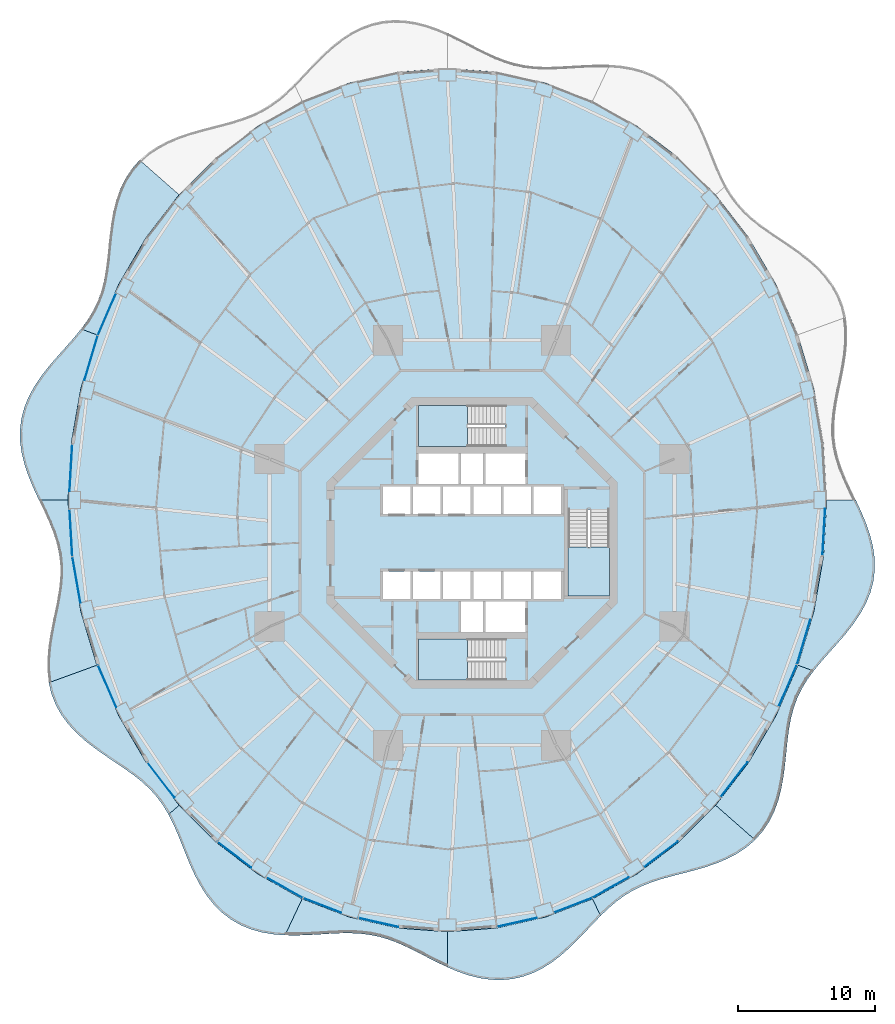
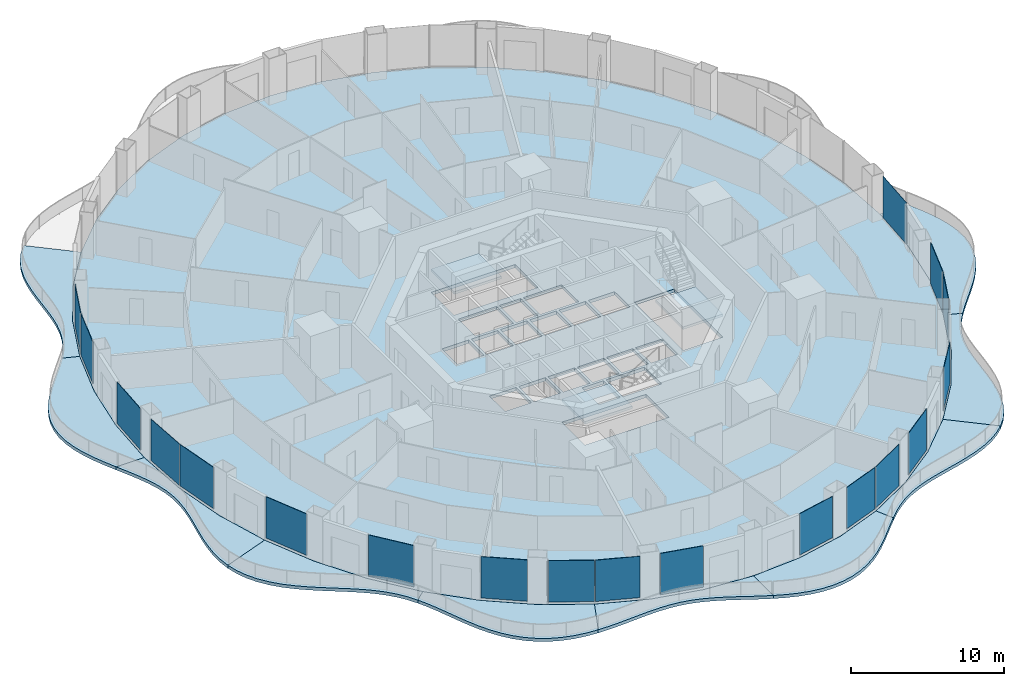
# One storey, part 12 of 22: 19 plates, 14 slabs, 22 elements without a shape of their own.
"""IFC4 building model written with IfcOpenShell, lengths in metres."""

from ifc_helpers import new_model, si_unit, direction, frame, origin, origin_2d, place, context, subcontext, project, spatial, polyline, rectangle, outline, extrude, material, layer, layer_set, type_object, element, aggregate, save


model = new_model("IFC4")

# Units and contexts
model_context = context("Model", 3, precision=1e-05, world=origin(), true_north=direction((0.0, 1.0)))
body_context = subcontext(model_context, "Body", "Model", "MODEL_VIEW")
ifc_project = project(units=[si_unit("LENGTHUNIT", "METRE"), si_unit("AREAUNIT", "SQUARE_METRE"), si_unit("VOLUMEUNIT", "CUBIC_METRE"), si_unit("PLANEANGLEUNIT", "RADIAN"), si_unit("MASSUNIT", "GRAM", prefix="KILO")], contexts=[model_context])

# Site, building, storey
site_placement = place(None, origin())
site = spatial("IfcSite", under=ifc_project, at=site_placement, CompositionType="ELEMENT")
building_placement = place(site_placement, origin())
building = spatial("IfcBuilding", under=site, at=building_placement, Name="Nagisa Residences", CompositionType="ELEMENT")
storey_placement = place(building_placement, frame((0.0, 0.0, 106.60009765625)))
storey = spatial("IfcBuildingStorey", under=building, at=storey_placement, Name="L26", CompositionType="ELEMENT", Elevation=106.60009765625)

# Slabs
ifc_material_1 = material(Name="Concrete C40/50", Category="concrete")
ifc_layer_1 = layer(ifc_material_1, 0.25)
ifc_layer_set_1 = layer_set([ifc_layer_1], Name="BALCONY SLAB 250")
slab_type_1 = type_object("IfcSlabType", Name="BALCONY SLAB 250", PredefinedType="FLOOR", material=ifc_layer_set_1)
slab_1_placement = place(storey_placement, frame((0.0, 0.0, -0.25)))
element("IfcSlab", 1, at=slab_1_placement, inside=storey, type_object=slab_type_1, Name="slab:L26:bal06", PredefinedType="FLOOR", context=body_context, shape_type="SweptSolid", body=[
    extrude(outline(polyline([(-24.260009765625, 27.93017578125), (-24.818115234375, 27.301513671875), (-25.28662109375, 26.601318359375), (-25.6650390625, 25.838623046875), (-25.958251953125, 25.02490234375), (-26.17626953125, 24.17431640625), (-26.3330078125, 23.3017578125), (-26.4462890625, 22.42236328125), (-26.536376953125, 21.54931640625), (-26.624267578125, 20.69482421875), (-26.730712890625, 19.867919921875), (-26.874267578125, 19.07470703125), (-27.071044921875, 18.3173828125), (-27.33203125, 17.595703125), (-27.663330078125, 16.90576171875), (-28.0654296875, 16.24169921875), (-28.532958984375, 15.59521484375), (-27.386962890625, 15.177978515625), (-25.78466796875, 18.875244140625), (-23.77197265625, 22.302734375), (-21.38330078125, 25.402099609375), (-24.260009765625, 27.93017578125)])), origin(), (0.0, 0.0, 1.0), 0.25),
])
slab_2_placement = place(storey_placement, frame((0.0, 0.0, -0.25)))
element("IfcSlab", 2, at=slab_2_placement, inside=storey, type_object=slab_type_1, Name="slab:L26:bal07", PredefinedType="FLOOR", context=body_context, shape_type="SweptSolid", body=[
    extrude(outline(polyline([(-28.532958984375, 15.59521484375), (-29.072509765625, 14.93701171875), (-29.652587890625, 14.277587890625), (-30.251708984375, 13.607666015625), (-30.845458984375, 12.91845703125), (-31.407958984375, 12.2041015625), (-31.9140625, 11.460693359375), (-32.341552734375, 10.68701171875), (-32.671630859375, 9.884765625), (-32.8916015625, 9.057861328125), (-32.99462890625, 8.2119140625), (-32.980712890625, 7.353759765625), (-32.857177734375, 6.490966796875), (-32.637451171875, 5.630615234375), (-32.340576171875, 4.779052734375), (-31.989501953125, 3.9404296875), (-31.6103515625, 3.11767578125), (-29.4951171875, 3.11767578125), (-29.258056640625, 7.231201171875), (-28.55126953125, 11.2744140625), (-27.386962890625, 15.177978515625), (-28.532958984375, 15.59521484375)])), origin(), (0.0, 0.0, 1.0), 0.25),
])
slab_3_placement = place(storey_placement, frame((0.0, 0.0, -0.25)))
element("IfcSlab", 3, at=slab_3_placement, inside=storey, type_object=slab_type_1, Name="slab:L26:bal08", PredefinedType="FLOOR", context=body_context, shape_type="SweptSolid", body=[
    extrude(outline(polyline([(-31.6103515625, 3.11767578125), (-31.2294921875, 2.311279296875), (-30.8720703125, 1.51953125), (-30.56103515625, 0.738525390625), (-30.314208984375, -0.03662109375), (-30.14404296875, -0.8125), (-30.056396484375, -1.595458984375), (-30.050048828125, -2.39111328125), (-30.1171875, -3.204833984375), (-30.24365234375, -4.039306640625), (-30.409912109375, -4.895263671875), (-30.5927734375, -5.77099609375), (-30.766845703125, -6.662109375), (-30.90625, -7.561767578125), (-30.987060546875, -8.461181640625), (-30.987548828125, -9.350341796875), (-30.8916015625, -10.21826171875), (-27.386962890625, -8.942626953125), (-28.55126953125, -5.0390625), (-29.258056640625, -0.995849609375), (-29.4951171875, 3.11767578125), (-31.6103515625, 3.11767578125)])), origin(), (0.0, 0.0, 1.0), 0.25),
])
slab_4_placement = place(storey_placement, frame((0.0, 0.0, -0.25)))
element("IfcSlab", 4, at=slab_4_placement, inside=storey, type_object=slab_type_1, Name="slab:L26:bal09", PredefinedType="FLOOR", context=body_context, shape_type="SweptSolid", body=[
    extrude(outline(polyline([(-30.8916015625, -10.21826171875), (-30.6962890625, -11.02978515625), (-30.395751953125, -11.803466796875), (-29.9921875, -12.533447265625), (-29.492431640625, -13.215087890625), (-28.90966796875, -13.84814453125), (-28.259765625, -14.4345703125), (-27.56298828125, -14.9794921875), (-26.84033203125, -15.49169921875), (-26.11328125, -15.981689453125), (-25.402099609375, -16.46240234375), (-24.72412109375, -16.947021484375), (-24.093505859375, -17.448974609375), (-23.51904296875, -17.980712890625), (-23.0048828125, -18.55224609375), (-22.55029296875, -19.1708984375), (-22.148681640625, -19.83935546875), (-21.38330078125, -19.166748046875), (-23.77197265625, -16.0673828125), (-25.78466796875, -12.639892578125), (-27.386962890625, -8.942626953125), (-30.8916015625, -10.21826171875)])), origin(), (0.0, 0.0, 1.0), 0.25),
])
slab_5_placement = place(storey_placement, frame((0.0, 0.0, -0.25)))
element("IfcSlab", 5, at=slab_5_placement, inside=storey, type_object=slab_type_1, Name="slab:L26:bal10", PredefinedType="FLOOR", context=body_context, shape_type="SweptSolid", body=[
    extrude(outline(polyline([(-22.148681640625, -19.83935546875), (-21.805908203125, -20.5224609375), (-21.489501953125, -21.245849609375), (-21.185791015625, -22.001220703125), (-20.879150390625, -22.77734375), (-20.55419921875, -23.560546875), (-20.19677734375, -24.33447265625), (-19.794677734375, -25.08251953125), (-19.337646484375, -25.787841796875), (-18.81982421875, -26.434814453125), (-18.237548828125, -27.010009765625), (-17.592041015625, -27.502685546875), (-16.88720703125, -27.90625), (-16.130126953125, -28.218505859375), (-15.330322265625, -28.441162109375), (-14.4990234375, -28.581298828125), (-13.648193359375, -28.64990234375), (-12.3984375, -25.998291015625), (-15.6474609375, -24.175048828125), (-18.65966796875, -21.884765625), (-21.38330078125, -19.166748046875), (-22.148681640625, -19.83935546875)])), origin(), (0.0, 0.0, 1.0), 0.25),
])
slab_6_placement = place(storey_placement, frame((0.0, 0.0, -0.25)))
element("IfcSlab", 6, at=slab_6_placement, inside=storey, type_object=slab_type_1, Name="slab:L26:bal11", PredefinedType="FLOOR", context=body_context, shape_type="SweptSolid", body=[
    extrude(outline(polyline([(-13.648193359375, -28.64990234375), (-12.82080078125, -28.66162109375), (-11.99609375, -28.635986328125), (-11.182373046875, -28.58984375), (-10.385986328125, -28.54052734375), (-9.611328125, -28.50537109375), (-8.860107421875, -28.499755859375), (-8.131591796875, -28.5361328125), (-7.4228515625, -28.62451171875), (-6.7294921875, -28.7705078125), (-6.045654296875, -28.975341796875), (-5.36474609375, -29.23583984375), (-4.679931640625, -29.544189453125), (-3.985107421875, -29.888916015625), (-3.275390625, -30.25537109375), (-2.547607421875, -30.6259765625), (-1.800048828125, -30.98193359375), (-1.800048828125, -28.397216796875), (-5.4150390625, -28.127685546875), (-8.968017578125, -27.323486328125), (-12.3984375, -25.998291015625), (-13.648193359375, -28.64990234375)])), origin(), (0.0, 0.0, 1.0), 0.25),
])
slab_7_placement = place(storey_placement, frame((0.0, 0.0, -0.25)))
element("IfcSlab", 7, at=slab_7_placement, inside=storey, type_object=slab_type_1, Name="slab:L26:bal12", PredefinedType="FLOOR", context=body_context, shape_type="SweptSolid", body=[
    extrude(outline(polyline([(-1.800048828125, -30.98193359375), (-1.033203125, -31.30419921875), (-0.250244140625, -31.57421875), (0.54443359375, -31.775390625), (1.344970703125, -31.89404296875), (2.143798828125, -31.919921875), (2.933349609375, -31.846923828125), (3.7060546875, -31.673828125), (4.455322265625, -31.4033203125), (5.17529296875, -31.04296875), (5.862548828125, -30.60400390625), (6.515869140625, -30.10107421875), (7.135986328125, -29.55078125), (7.72607421875, -28.971435546875), (8.292236328125, -28.38134765625), (8.84130859375, -27.798095703125), (9.382568359375, -27.237548828125), (8.79833984375, -25.998291015625), (5.367919921875, -27.323486328125), (1.81494140625, -28.127685546875), (-1.800048828125, -28.397216796875), (-1.800048828125, -30.98193359375)])), origin(), (0.0, 0.0, 1.0), 0.25),
])
slab_8_placement = place(storey_placement, frame((0.0, 0.0, -0.25)))
element("IfcSlab", 8, at=slab_8_placement, inside=storey, type_object=slab_type_1, Name="slab:L26:bal13", PredefinedType="FLOOR", context=body_context, shape_type="SweptSolid", body=[
    extrude(outline(polyline([(9.382568359375, -27.237548828125), (9.945556640625, -26.69384765625), (10.520751953125, -26.19970703125), (11.117919921875, -25.76171875), (11.7451171875, -25.3818359375), (12.408203125, -25.05712890625), (13.109619140625, -24.78076171875), (13.848876953125, -24.542236328125), (14.6220703125, -24.327880859375), (15.421142578125, -24.1220703125), (16.23583984375, -23.90869140625), (17.05322265625, -23.67138671875), (17.8583984375, -23.3955078125), (18.635986328125, -23.068115234375), (19.37109375, -22.67919921875), (20.049560546875, -22.222412109375), (20.659912109375, -21.69482421875), (17.783203125, -19.166748046875), (15.0595703125, -21.884765625), (12.047607421875, -24.175048828125), (8.79833984375, -25.998291015625), (9.382568359375, -27.237548828125)])), origin(), (0.0, 0.0, 1.0), 0.25),
])
slab_9_placement = place(storey_placement, frame((0.0, 0.0, -0.25)))
element("IfcSlab", 9, at=slab_9_placement, inside=storey, type_object=slab_type_1, Name="slab:L26:bal14", PredefinedType="FLOOR", context=body_context, shape_type="SweptSolid", body=[
    extrude(outline(polyline([(20.659912109375, -21.69482421875), (21.218017578125, -21.066162109375), (21.6865234375, -20.365966796875), (22.06494140625, -19.60302734375), (22.3583984375, -18.789306640625), (22.576171875, -17.93896484375), (22.73291015625, -17.06640625), (22.846435546875, -16.186767578125), (22.9365234375, -15.31396484375), (23.024169921875, -14.45947265625), (23.130615234375, -13.632568359375), (23.2744140625, -12.839111328125), (23.470947265625, -12.08203125), (23.73193359375, -11.3603515625), (24.063232421875, -10.67041015625), (24.46533203125, -10.006103515625), (24.932861328125, -9.35986328125), (23.786865234375, -8.942626953125), (22.1845703125, -12.639892578125), (20.171875, -16.0673828125), (17.783203125, -19.166748046875), (20.659912109375, -21.69482421875)])), origin(), (0.0, 0.0, 1.0), 0.25),
])
slab_10_placement = place(storey_placement, frame((0.0, 0.0, -0.25)))
element("IfcSlab", 10, at=slab_10_placement, inside=storey, type_object=slab_type_1, Name="slab:L26:bal15", PredefinedType="FLOOR", context=body_context, shape_type="SweptSolid", body=[
    extrude(outline(polyline([(24.932861328125, -9.35986328125), (25.472412109375, -8.70166015625), (26.052490234375, -8.042236328125), (26.65185546875, -7.372314453125), (27.245361328125, -6.68310546875), (27.807861328125, -5.96875), (28.31396484375, -5.22509765625), (28.741455078125, -4.45166015625), (29.07177734375, -3.6494140625), (29.29150390625, -2.822509765625), (29.39453125, -1.9765625), (29.380615234375, -1.118408203125), (29.257080078125, -0.255615234375), (29.037353515625, 0.604736328125), (28.740478515625, 1.45654296875), (28.3896484375, 2.294921875), (28.01025390625, 3.11767578125), (25.89501953125, 3.11767578125), (25.657958984375, -0.995849609375), (24.951416015625, -5.0390625), (23.786865234375, -8.942626953125), (24.932861328125, -9.35986328125)])), origin(), (0.0, 0.0, 1.0), 0.25),
])

# Curtain wall, plate
ifc_material_2 = material(Name="Concrete-coloured aluminium curtain wall system", Category="concrete")
ifc_layer_2 = layer(ifc_material_2, 0.159912109375)
ifc_layer_set_2 = layer_set([ifc_layer_2], Name="CW1 CURTAIN WALL")
curtain_wall_type = type_object("IfcCurtainWallType", Name="CW1 CURTAIN WALL", PredefinedType="NOTDEFINED", material=ifc_layer_set_2)
curtain_wall_1_placement = place(storey_placement, origin())
curtain_wall_1 = element("IfcCurtainWall", 11, at=curtain_wall_1_placement, inside=storey, type_object=curtain_wall_type, Name="cw:CW1:L26:20", PredefinedType="NOTDEFINED")
ifc_material_3 = material(Name="Clear laminated glass", Category="glass")
ifc_layer_3 = layer(ifc_material_3, 0.028076171875)
ifc_layer_set_3 = layer_set([ifc_layer_3], Name="CW1 GLASS PANEL")
plate_type = type_object("IfcPlateType", Name="CW1 GLASS PANEL", PredefinedType="CURTAIN_PANEL", material=ifc_layer_set_3)
plate_1_placement = place(storey_placement, frame((-26.653564453125, 16.6689453125, 0.14990234375), z_axis=(0.0, 0.0, 1.0), x_axis=(-0.397635934147, -0.917543276295, 0.0)))
plate_1 = element("IfcPlate", 12, at=plate_1_placement, type_object=plate_type, Name="CW1 panel", PredefinedType="CURTAIN_PANEL", context=body_context, shape_type="SweptSolid", body=[
    extrude(rectangle(XDim=3.319580078125, YDim=0.028076171875, at=origin_2d()), origin(), (0.0, 0.0, 1.0), 3.2900390625),
])
aggregate(curtain_wall_1, [plate_1])

curtain_wall_2_placement = place(storey_placement, origin())
curtain_wall_2 = element("IfcCurtainWall", 13, at=curtain_wall_2_placement, inside=storey, type_object=curtain_wall_type, Name="cw:CW1:L26:21", PredefinedType="NOTDEFINED")
plate_2_placement = place(storey_placement, frame((-27.80810546875, 13.486083984375, 0.14990234375), z_axis=(0.0, 0.0, 1.0), x_axis=(-0.285860274038, -0.958271310082, 0.0)))
plate_2 = element("IfcPlate", 14, at=plate_2_placement, type_object=plate_type, Name="CW1 panel", PredefinedType="CURTAIN_PANEL", context=body_context, shape_type="SweptSolid", body=[
    extrude(rectangle(XDim=3.363525390625, YDim=0.028076171875, at=origin_2d()), origin(), (0.0, 0.0, 1.0), 3.2900390625),
])
aggregate(curtain_wall_2, [plate_2])

curtain_wall_3_placement = place(storey_placement, origin())
curtain_wall_3 = element("IfcCurtainWall", 15, at=curtain_wall_3_placement, inside=storey, type_object=curtain_wall_type, Name="cw:CW1:L26:23", PredefinedType="NOTDEFINED")
plate_3_placement = place(storey_placement, frame((-29.27978515625, 5.46435546875, 0.14990234375), z_axis=(0.0, 0.0, 1.0), x_axis=(-0.057503492216, -0.998345305184, 0.0)))
plate_3 = element("IfcPlate", 16, at=plate_3_placement, type_object=plate_type, Name="CW1 panel", PredefinedType="CURTAIN_PANEL", context=body_context, shape_type="SweptSolid", body=[
    extrude(rectangle(XDim=3.410400390625, YDim=0.028076171875, at=origin_2d()), origin(), (0.0, 0.0, 1.0), 3.2900390625),
])
aggregate(curtain_wall_3, [plate_3])

curtain_wall_4_placement = place(storey_placement, origin())
curtain_wall_4 = element("IfcCurtainWall", 17, at=curtain_wall_4_placement, inside=storey, type_object=curtain_wall_type, Name="cw:CW1:L26:24", PredefinedType="NOTDEFINED")
plate_4_placement = place(storey_placement, frame((-29.2763671875, 0.711181640625, 0.14990234375), z_axis=(0.0, 0.0, 1.0), x_axis=(0.057503492216, -0.998345305184, 0.0)))
plate_4 = element("IfcPlate", 18, at=plate_4_placement, type_object=plate_type, Name="CW1 panel", PredefinedType="CURTAIN_PANEL", context=body_context, shape_type="SweptSolid", body=[
    extrude(rectangle(XDim=3.410400390625, YDim=0.028076171875, at=origin_2d()), origin(), (0.0, 0.0, 1.0), 3.2900390625),
])
aggregate(curtain_wall_4, [plate_4])

curtain_wall_5_placement = place(storey_placement, origin())
curtain_wall_5 = element("IfcCurtainWall", 19, at=curtain_wall_5_placement, inside=storey, type_object=curtain_wall_type, Name="cw:CW1:L26:25", PredefinedType="NOTDEFINED")
plate_5_placement = place(storey_placement, frame((-28.876708984375, -2.713134765625, 0.14990234375), z_axis=(0.0, 0.0, 1.0), x_axis=(0.172190868898, -0.985063604377, 0.0)))
plate_5 = element("IfcPlate", 20, at=plate_5_placement, type_object=plate_type, Name="CW1 panel", PredefinedType="CURTAIN_PANEL", context=body_context, shape_type="SweptSolid", body=[
    extrude(rectangle(XDim=3.39453125, YDim=0.028076171875, at=origin_2d()), origin(), (0.0, 0.0, 1.0), 3.2900390625),
])
aggregate(curtain_wall_5, [plate_5])

curtain_wall_6_placement = place(storey_placement, origin())
curtain_wall_6 = element("IfcCurtainWall", 21, at=curtain_wall_6_placement, inside=storey, type_object=curtain_wall_type, Name="cw:CW1:L26:27", PredefinedType="NOTDEFINED")
plate_6_placement = place(storey_placement, frame((-26.629638671875, -10.48876953125, 0.14990234375), z_axis=(0.0, 0.0, 1.0), x_axis=(0.397635934147, -0.917543276295, 0.0)))
plate_6 = element("IfcPlate", 22, at=plate_6_placement, type_object=plate_type, Name="CW1 panel", PredefinedType="CURTAIN_PANEL", context=body_context, shape_type="SweptSolid", body=[
    extrude(rectangle(XDim=3.319580078125, YDim=0.028076171875, at=origin_2d()), origin(), (0.0, 0.0, 1.0), 3.2900390625),
])
aggregate(curtain_wall_6, [plate_6])

curtain_wall_7_placement = place(storey_placement, origin())
curtain_wall_7 = element("IfcCurtainWall", 23, at=curtain_wall_7_placement, inside=storey, type_object=curtain_wall_type, Name="cw:CW1:L26:29", PredefinedType="NOTDEFINED")
plate_7_placement = place(storey_placement, frame((-22.6943359375, -17.334716796875, 0.14990234375), z_axis=(0.0, 0.0, 1.0), x_axis=(0.610429828235, -0.792070340816, 0.0)))
plate_7 = element("IfcPlate", 24, at=plate_7_placement, type_object=plate_type, Name="CW1 panel", PredefinedType="CURTAIN_PANEL", context=body_context, shape_type="SweptSolid", body=[
    extrude(rectangle(XDim=3.202880859375, YDim=0.028076171875, at=origin_2d()), origin(), (0.0, 0.0, 1.0), 3.2900390625),
])
aggregate(curtain_wall_7, [plate_7])

curtain_wall_8_placement = place(storey_placement, origin())
curtain_wall_8 = element("IfcCurtainWall", 25, at=curtain_wall_8_placement, inside=storey, type_object=curtain_wall_type, Name="cw:CW1:L26:31", PredefinedType="NOTDEFINED")
plate_8_placement = place(storey_placement, frame((-17.340087890625, -22.787841796875, 0.14990234375), z_axis=(0.0, 0.0, 1.0), x_axis=(0.79603132756, -0.605255421737, 0.0)))
plate_8 = element("IfcPlate", 26, at=plate_8_placement, type_object=plate_type, Name="CW1 panel", PredefinedType="CURTAIN_PANEL", context=body_context, shape_type="SweptSolid", body=[
    extrude(rectangle(XDim=3.073974609375, YDim=0.028076171875, at=origin_2d()), origin(), (0.0, 0.0, 1.0), 3.2900390625),
])
aggregate(curtain_wall_8, [plate_8])

curtain_wall_9_placement = place(storey_placement, origin())
curtain_wall_9 = element("IfcCurtainWall", 27, at=curtain_wall_9_placement, inside=storey, type_object=curtain_wall_type, Name="cw:CW1:L26:32", PredefinedType="NOTDEFINED")
plate_9_placement = place(storey_placement, frame((-13.67431640625, -25.190673828125, 0.14990234375), z_axis=(0.0, 0.0, 1.0), x_axis=(0.872072377523, -0.489376918501, 0.0)))
plate_9 = element("IfcPlate", 28, at=plate_9_placement, type_object=plate_type, Name="CW1 panel", PredefinedType="CURTAIN_PANEL", context=body_context, shape_type="SweptSolid", body=[
    extrude(rectangle(XDim=3.015625, YDim=0.028076171875, at=origin_2d()), origin(), (0.0, 0.0, 1.0), 3.2900390625),
])
aggregate(curtain_wall_9, [plate_9])

curtain_wall_10_placement = place(storey_placement, origin())
curtain_wall_10 = element("IfcCurtainWall", 29, at=curtain_wall_10_placement, inside=storey, type_object=curtain_wall_type, Name="cw:CW1:L26:33", PredefinedType="NOTDEFINED")
plate_10_placement = place(storey_placement, frame((-10.929443359375, -26.47998046875, 0.14990234375), z_axis=(0.0, 0.0, 1.0), x_axis=(0.932825759707, -0.360327770268, 0.0)))
plate_10 = element("IfcPlate", 30, at=plate_10_placement, type_object=plate_type, Name="CW1 panel", PredefinedType="CURTAIN_PANEL", context=body_context, shape_type="SweptSolid", body=[
    extrude(rectangle(XDim=2.967529296875, YDim=0.028076171875, at=origin_2d()), origin(), (0.0, 0.0, 1.0), 3.2900390625),
])
aggregate(curtain_wall_10, [plate_10])

curtain_wall_11_placement = place(storey_placement, origin())
curtain_wall_11 = element("IfcCurtainWall", 31, at=curtain_wall_11_placement, inside=storey, type_object=curtain_wall_type, Name="cw:CW1:L26:34", PredefinedType="NOTDEFINED")
plate_11_placement = place(storey_placement, frame((-6.82763671875, -27.725830078125, 0.14990234375), z_axis=(0.0, 0.0, 1.0), x_axis=(0.975327274089, -0.2207639201, 0.0)))
plate_11 = element("IfcPlate", 32, at=plate_11_placement, type_object=plate_type, Name="CW1 panel", PredefinedType="CURTAIN_PANEL", context=body_context, shape_type="SweptSolid", body=[
    extrude(rectangle(XDim=2.932861328125, YDim=0.028076171875, at=origin_2d()), origin(), (0.0, 0.0, 1.0), 3.2900390625),
])
aggregate(curtain_wall_11, [plate_11])

curtain_wall_12_placement = place(storey_placement, origin())
curtain_wall_12 = element("IfcCurtainWall", 33, at=curtain_wall_12_placement, inside=storey, type_object=curtain_wall_type, Name="cw:CW1:L26:37", PredefinedType="NOTDEFINED")
plate_12_placement = place(storey_placement, frame((3.2861328125, -27.712646484375, 0.14990234375), z_axis=(0.0, 0.0, 1.0), x_axis=(0.975327274089, 0.2207639201, 0.0)))
plate_12 = element("IfcPlate", 34, at=plate_12_placement, type_object=plate_type, Name="CW1 panel", PredefinedType="CURTAIN_PANEL", context=body_context, shape_type="SweptSolid", body=[
    extrude(rectangle(XDim=2.932861328125, YDim=0.028076171875, at=origin_2d()), origin(), (0.0, 0.0, 1.0), 3.2900390625),
])
aggregate(curtain_wall_12, [plate_12])

curtain_wall_13_placement = place(storey_placement, origin())
curtain_wall_13 = element("IfcCurtainWall", 35, at=curtain_wall_13_placement, inside=storey, type_object=curtain_wall_type, Name="cw:CW1:L26:38", PredefinedType="NOTDEFINED")
plate_13_placement = place(storey_placement, frame((7.385498046875, -26.45849609375, 0.14990234375), z_axis=(0.0, 0.0, 1.0), x_axis=(0.932825759707, 0.360327770268, 0.0)))
plate_13 = element("IfcPlate", 36, at=plate_13_placement, type_object=plate_type, Name="CW1 panel", PredefinedType="CURTAIN_PANEL", context=body_context, shape_type="SweptSolid", body=[
    extrude(rectangle(XDim=2.967529296875, YDim=0.028076171875, at=origin_2d()), origin(), (0.0, 0.0, 1.0), 3.2900390625),
])
aggregate(curtain_wall_13, [plate_13])

curtain_wall_14_placement = place(storey_placement, origin())
curtain_wall_14 = element("IfcCurtainWall", 37, at=curtain_wall_14_placement, inside=storey, type_object=curtain_wall_type, Name="cw:CW1:L26:39", PredefinedType="NOTDEFINED")
plate_14_placement = place(storey_placement, frame((10.12646484375, -25.161376953125, 0.14990234375), z_axis=(0.0, 0.0, 1.0), x_axis=(0.872072377523, 0.489376918501, 0.0)))
plate_14 = element("IfcPlate", 38, at=plate_14_placement, type_object=plate_type, Name="CW1 panel", PredefinedType="CURTAIN_PANEL", context=body_context, shape_type="SweptSolid", body=[
    extrude(rectangle(XDim=3.015625, YDim=0.028076171875, at=origin_2d()), origin(), (0.0, 0.0, 1.0), 3.2900390625),
])
aggregate(curtain_wall_14, [plate_14])

curtain_wall_15_placement = place(storey_placement, origin())
curtain_wall_15 = element("IfcCurtainWall", 39, at=curtain_wall_15_placement, inside=storey, type_object=curtain_wall_type, Name="cw:CW1:L26:40", PredefinedType="NOTDEFINED")
plate_15_placement = place(storey_placement, frame((13.787841796875, -22.75146484375, 0.14990234375), z_axis=(0.0, 0.0, 1.0), x_axis=(0.79603132756, 0.605255421737, 0.0)))
plate_15 = element("IfcPlate", 40, at=plate_15_placement, type_object=plate_type, Name="CW1 panel", PredefinedType="CURTAIN_PANEL", context=body_context, shape_type="SweptSolid", body=[
    extrude(rectangle(XDim=3.073974609375, YDim=0.028076171875, at=origin_2d()), origin(), (0.0, 0.0, 1.0), 3.2900390625),
])
aggregate(curtain_wall_15, [plate_15])

curtain_wall_16_placement = place(storey_placement, origin())
curtain_wall_16 = element("IfcCurtainWall", 41, at=curtain_wall_16_placement, inside=storey, type_object=curtain_wall_type, Name="cw:CW1:L26:42", PredefinedType="NOTDEFINED")
plate_16_placement = place(storey_placement, frame((19.130859375, -17.287109375, 0.14990234375), z_axis=(0.0, 0.0, 1.0), x_axis=(0.610429828235, 0.792070340816, 0.0)))
plate_16 = element("IfcPlate", 42, at=plate_16_placement, type_object=plate_type, Name="CW1 panel", PredefinedType="CURTAIN_PANEL", context=body_context, shape_type="SweptSolid", body=[
    extrude(rectangle(XDim=3.202880859375, YDim=0.028076171875, at=origin_2d()), origin(), (0.0, 0.0, 1.0), 3.2900390625),
])
aggregate(curtain_wall_16, [plate_16])

curtain_wall_17_placement = place(storey_placement, origin())
curtain_wall_17 = element("IfcCurtainWall", 43, at=curtain_wall_17_placement, inside=storey, type_object=curtain_wall_type, Name="cw:CW1:L26:44", PredefinedType="NOTDEFINED")
plate_17_placement = place(storey_placement, frame((23.053466796875, -10.43359375, 0.14990234375), z_axis=(0.0, 0.0, 1.0), x_axis=(0.397635934147, 0.917543276295, 0.0)))
plate_17 = element("IfcPlate", 44, at=plate_17_placement, type_object=plate_type, Name="CW1 panel", PredefinedType="CURTAIN_PANEL", context=body_context, shape_type="SweptSolid", body=[
    extrude(rectangle(XDim=3.319580078125, YDim=0.028076171875, at=origin_2d()), origin(), (0.0, 0.0, 1.0), 3.2900390625),
])
aggregate(curtain_wall_17, [plate_17])

curtain_wall_18_placement = place(storey_placement, origin())
curtain_wall_18 = element("IfcCurtainWall", 45, at=curtain_wall_18_placement, inside=storey, type_object=curtain_wall_type, Name="cw:CW1:L26:45", PredefinedType="NOTDEFINED")
plate_18_placement = place(storey_placement, frame((24.2080078125, -7.25048828125, 0.14990234375), z_axis=(0.0, 0.0, 1.0), x_axis=(0.285860274038, 0.958271310082, 0.0)))
plate_18 = element("IfcPlate", 46, at=plate_18_placement, type_object=plate_type, Name="CW1 panel", PredefinedType="CURTAIN_PANEL", context=body_context, shape_type="SweptSolid", body=[
    extrude(rectangle(XDim=3.363525390625, YDim=0.028076171875, at=origin_2d()), origin(), (0.0, 0.0, 1.0), 3.2900390625),
])
aggregate(curtain_wall_18, [plate_18])

curtain_wall_19_placement = place(storey_placement, origin())
curtain_wall_19 = element("IfcCurtainWall", 47, at=curtain_wall_19_placement, inside=storey, type_object=curtain_wall_type, Name="cw:CW1:L26:47", PredefinedType="NOTDEFINED")
plate_19_placement = place(storey_placement, frame((25.6796875, 0.77099609375, 0.14990234375), z_axis=(0.0, 0.0, 1.0), x_axis=(0.057503492216, 0.998345305184, 0.0)))
plate_19 = element("IfcPlate", 48, at=plate_19_placement, type_object=plate_type, Name="CW1 panel", PredefinedType="CURTAIN_PANEL", context=body_context, shape_type="SweptSolid", body=[
    extrude(rectangle(XDim=3.410400390625, YDim=0.028076171875, at=origin_2d()), origin(), (0.0, 0.0, 1.0), 3.2900390625),
])
aggregate(curtain_wall_19, [plate_19])

# Slab
ifc_material_4 = material(Name="Concrete C40", Category="concrete")
ifc_layer_4 = layer(ifc_material_4, 0.260009765625)
ifc_layer_set_4 = layer_set([ifc_layer_4], Name="Floor slab 260")
slab_type_2 = type_object("IfcSlabType", Name="Floor slab 260", PredefinedType="FLOOR", material=ifc_layer_set_4)
slab_11_placement = place(storey_placement, frame((0.0, 0.0, -0.260009765625)))
element("IfcSlab", 49, at=slab_11_placement, inside=storey, type_object=slab_type_2, Name="slab:L26:floor", PredefinedType="FLOOR", context=body_context, shape_type="SweptSolid", body=[
    extrude(outline(polyline([(25.89501953125, 3.11767578125), (25.657958984375, 7.231201171875), (24.951416015625, 11.2744140625), (23.786865234375, 15.177978515625), (22.1845703125, 18.875244140625), (20.171875, 22.302734375), (17.783203125, 25.402099609375), (15.0595703125, 28.1201171875), (12.047607421875, 30.410400390625), (8.79833984375, 32.233642578125), (5.367919921875, 33.558837890625), (1.81494140625, 34.363037109375), (-1.800048828125, 34.6328125), (-5.4150390625, 34.363037109375), (-8.968017578125, 33.558837890625), (-12.3984375, 32.233642578125), (-15.6474609375, 30.410400390625), (-18.65966796875, 28.1201171875), (-21.38330078125, 25.402099609375), (-23.77197265625, 22.302734375), (-25.78466796875, 18.875244140625), (-27.386962890625, 15.177978515625), (-28.55126953125, 11.2744140625), (-29.258056640625, 7.231201171875), (-29.4951171875, 3.11767578125), (-29.258056640625, -0.995849609375), (-28.55126953125, -5.0390625), (-27.386962890625, -8.942626953125), (-25.78466796875, -12.639892578125), (-23.77197265625, -16.0673828125), (-21.38330078125, -19.166748046875), (-18.65966796875, -21.884765625), (-15.6474609375, -24.175048828125), (-12.3984375, -25.998291015625), (-8.968017578125, -27.323486328125), (-5.4150390625, -28.127685546875), (-1.800048828125, -28.397216796875), (1.81494140625, -28.127685546875), (5.367919921875, -27.323486328125), (8.79833984375, -25.998291015625), (12.047607421875, -24.175048828125), (15.0595703125, -21.884765625), (17.783203125, -19.166748046875), (20.171875, -16.0673828125), (22.1845703125, -12.639892578125), (23.786865234375, -8.942626953125), (24.951416015625, -5.0390625), (25.657958984375, -0.995849609375), (25.89501953125, 3.11767578125)]), holes=[polyline([(-4.5, 2.10009765625), (-4.5, 4.10009765625), (-6.5, 4.10009765625), (-6.5, 2.10009765625), (-4.5, 2.10009765625)]), polyline([(-2.300048828125, 2.10009765625), (-2.300048828125, 4.10009765625), (-4.300048828125, 4.10009765625), (-4.300048828125, 2.10009765625), (-2.300048828125, 2.10009765625)]), polyline([(-0.10009765625, 2.10009765625), (-0.10009765625, 4.10009765625), (-2.10009765625, 4.10009765625), (-2.10009765625, 2.10009765625), (-0.10009765625, 2.10009765625)]), polyline([(2.10009765625, 2.10009765625), (2.10009765625, 4.10009765625), (0.10009765625, 4.10009765625), (0.10009765625, 2.10009765625), (2.10009765625, 2.10009765625)]), polyline([(4.300048828125, 2.10009765625), (4.300048828125, 4.10009765625), (2.300048828125, 4.10009765625), (2.300048828125, 2.10009765625), (4.300048828125, 2.10009765625)]), polyline([(6.5, 2.10009765625), (6.5, 4.10009765625), (4.5, 4.10009765625), (4.5, 2.10009765625), (6.5, 2.10009765625)]), polyline([(-4.5, -4.10009765625), (-4.5, -2.10009765625), (-6.5, -2.10009765625), (-6.5, -4.10009765625), (-4.5, -4.10009765625)]), polyline([(-2.300048828125, -4.10009765625), (-2.300048828125, -2.10009765625), (-4.300048828125, -2.10009765625), (-4.300048828125, -4.10009765625), (-2.300048828125, -4.10009765625)]), polyline([(-0.10009765625, -4.10009765625), (-0.10009765625, -2.10009765625), (-2.10009765625, -2.10009765625), (-2.10009765625, -4.10009765625), (-0.10009765625, -4.10009765625)]), polyline([(2.10009765625, -4.10009765625), (2.10009765625, -2.10009765625), (0.10009765625, -2.10009765625), (0.10009765625, -4.10009765625), (2.10009765625, -4.10009765625)]), polyline([(4.300048828125, -4.10009765625), (4.300048828125, -2.10009765625), (2.300048828125, -2.10009765625), (2.300048828125, -4.10009765625), (4.300048828125, -4.10009765625)]), polyline([(6.5, -4.10009765625), (6.5, -2.10009765625), (4.5, -2.10009765625), (4.5, -4.10009765625), (6.5, -4.10009765625)]), polyline([(3.89990234375, 4.300048828125), (3.89990234375, 6.5), (1.0, 6.5), (1.0, 4.300048828125), (3.89990234375, 4.300048828125)]), polyline([(3.89990234375, -6.5), (3.89990234375, -4.300048828125), (1.0, -4.300048828125), (1.0, -6.5), (3.89990234375, -6.5)]), polyline([(-1.0, 4.300048828125), (-1.0, 6.5), (-3.89990234375, 6.5), (-3.89990234375, 4.300048828125), (-1.0, 4.300048828125)]), polyline([(0.800048828125, 4.300048828125), (0.800048828125, 6.5), (-0.800048828125, 6.5), (-0.800048828125, 4.300048828125), (0.800048828125, 4.300048828125)]), polyline([(0.800048828125, -6.5), (0.800048828125, -4.300048828125), (-0.800048828125, -4.300048828125), (-0.800048828125, -6.5), (0.800048828125, -6.5)]), polyline([(10.024658203125, -3.89990234375), (7.024658203125, -3.89990234375), (7.024658203125, 2.425048828125), (10.024658203125, 2.425048828125), (10.024658203125, -3.89990234375)]), polyline([(-3.89990234375, 7.024658203125), (-3.89990234375, 10.024658203125), (2.425048828125, 10.024658203125), (2.425048828125, 7.024658203125), (-3.89990234375, 7.024658203125)]), polyline([(-3.89990234375, -10.024658203125), (-3.89990234375, -7.024658203125), (2.425048828125, -7.024658203125), (2.425048828125, -10.024658203125), (-3.89990234375, -10.024658203125)])]), origin(), (0.0, 0.0, 1.0), 0.260009765625),
])

# Stair, slab
ifc_material_5 = material(Name="Concrete C60", Category="concrete")
stair_type = type_object("IfcStairType", Name="Exit stair", PredefinedType="HALF_TURN_STAIR", material=ifc_material_5)
stair_1_placement = place(storey_placement, origin())
stair_1 = element("IfcStair", 50, at=stair_1_placement, inside=storey, type_object=stair_type, Name="L26 Exit stair E", PredefinedType="HALF_TURN_STAIR")
ifc_material_6 = material(Name="Concrete C60", Category="concrete")
ifc_layer_5 = layer(ifc_material_6, 0.199951171875)
ifc_layer_set_5 = layer_set([ifc_layer_5], Name="Stair landing")
slab_type_3 = type_object("IfcSlabType", Name="Stair landing", PredefinedType="LANDING", material=ifc_layer_set_5)
slab_12_placement = place(storey_placement, frame((0.0, 0.0, 1.64990234375)))
slab_12 = element("IfcSlab", 51, at=slab_12_placement, type_object=slab_type_3, Name="ST-E landing 1", PredefinedType="LANDING", context=body_context, shape_type="SweptSolid", body=[
    extrude(outline(polyline([(7.024658203125, -0.324951171875), (7.024658203125, -3.89990234375), (10.024658203125, -3.89990234375), (10.024658203125, -0.324951171875), (7.024658203125, -0.324951171875)])), origin(), (0.0, 0.0, 1.0), 0.199951171875),
])
aggregate(stair_1, [slab_12])

stair_2_placement = place(storey_placement, origin())
stair_2 = element("IfcStair", 52, at=stair_2_placement, inside=storey, type_object=stair_type, Name="L26 Exit stair N", PredefinedType="HALF_TURN_STAIR")
slab_13_placement = place(storey_placement, frame((0.0, 0.0, 1.64990234375)))
slab_13 = element("IfcSlab", 53, at=slab_13_placement, type_object=slab_type_3, Name="ST-N landing 1", PredefinedType="LANDING", context=body_context, shape_type="SweptSolid", body=[
    extrude(outline(polyline([(-0.324951171875, 10.024658203125), (-3.89990234375, 10.024658203125), (-3.89990234375, 7.024658203125), (-0.324951171875, 7.024658203125), (-0.324951171875, 10.024658203125)])), origin(), (0.0, 0.0, 1.0), 0.199951171875),
])
aggregate(stair_2, [slab_13])

stair_3_placement = place(storey_placement, origin())
stair_3 = element("IfcStair", 54, at=stair_3_placement, inside=storey, type_object=stair_type, Name="L26 Exit stair S", PredefinedType="HALF_TURN_STAIR")
slab_14_placement = place(storey_placement, frame((0.0, 0.0, 1.64990234375)))
slab_14 = element("IfcSlab", 55, at=slab_14_placement, type_object=slab_type_3, Name="ST-S landing 1", PredefinedType="LANDING", context=body_context, shape_type="SweptSolid", body=[
    extrude(outline(polyline([(-0.324951171875, -7.024658203125), (-3.89990234375, -7.024658203125), (-3.89990234375, -10.024658203125), (-0.324951171875, -10.024658203125), (-0.324951171875, -7.024658203125)])), origin(), (0.0, 0.0, 1.0), 0.199951171875),
])
aggregate(stair_3, [slab_14])

save(model, "model.ifc")
